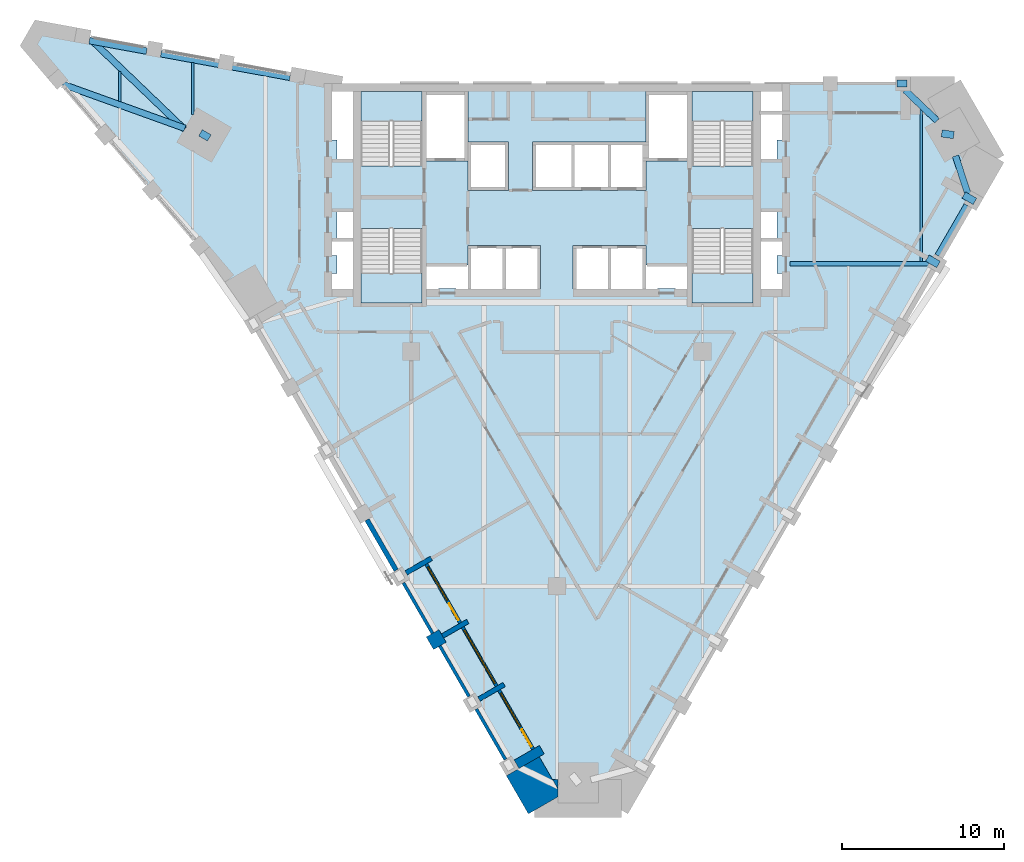
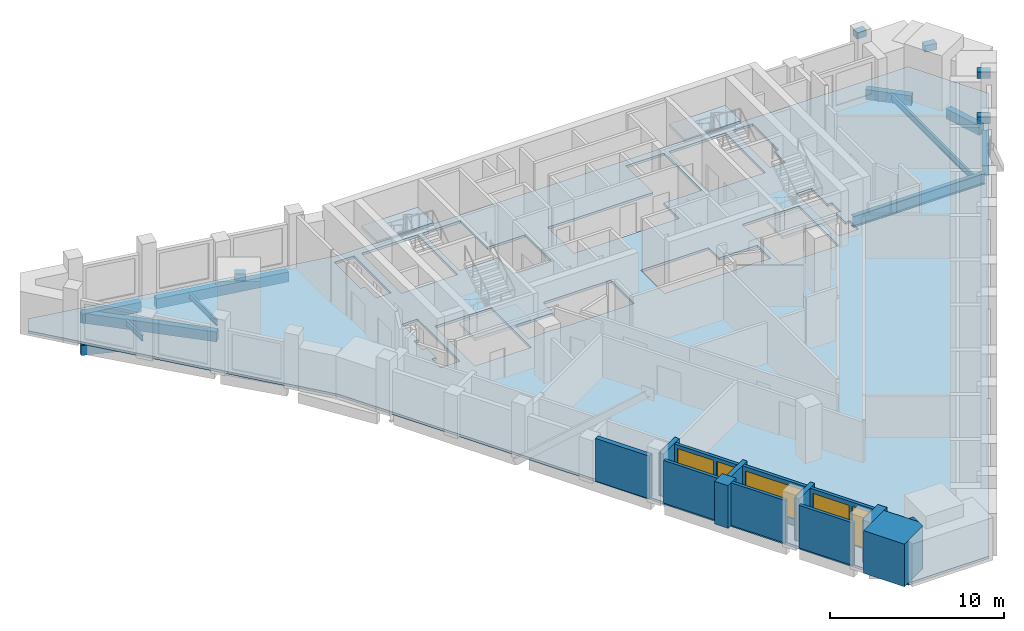
# One storey, part 2 of 9: 16 beams, 14 walls, 5 slabs, 3 windows, 2 doors, 5 openings, 4 elements without a shape of their own.
"""IFC4 building model written with IfcOpenShell, lengths in metres."""

from ifc_helpers import new_model, si_unit, direction, frame, frame_2d, origin, origin_2d, place, context, subcontext, project, spatial, polyline, rectangle, i_section, outline, extrude, material, layer, layer_set, material_profile, profile_set, type_object, element, fill, aggregate, save


model = new_model("IFC4")

# Units and contexts
model_context = context("Model", 3, precision=1e-05, world=origin(), true_north=direction((0.0, 1.0)))
body_context = subcontext(model_context, "Body", "Model", "MODEL_VIEW")
ifc_project = project(units=[si_unit("LENGTHUNIT", "METRE"), si_unit("AREAUNIT", "SQUARE_METRE"), si_unit("VOLUMEUNIT", "CUBIC_METRE"), si_unit("PLANEANGLEUNIT", "RADIAN"), si_unit("MASSUNIT", "GRAM", prefix="KILO")], contexts=[model_context])

# Site, building, storey
site_placement = place(None, origin())
site = spatial("IfcSite", under=ifc_project, at=site_placement, CompositionType="ELEMENT")
building_placement = place(site_placement, origin())
building = spatial("IfcBuilding", under=site, at=building_placement, Name="Calabash Gate Tower", CompositionType="ELEMENT")
storey_placement = place(building_placement, frame((0.0, 0.0, 204.199951171875)))
storey = spatial("IfcBuildingStorey", under=building, at=storey_placement, Name="L48", CompositionType="ELEMENT", Elevation=204.199951171875)

# Beams
ifc_material_1 = material(Name="Concrete C80/95", Category="concrete")
ifc_material_profile_1 = material_profile(ifc_material_1, rectangle(XDim=0.449951171875, YDim=0.449951171875, at=origin_2d()))
ifc_profile_set_1 = profile_set([ifc_material_profile_1], Name="Concrete C80/95")
beam_type_1 = type_object("IfcBeamType", Name="Column offset link RC 450x450 Concrete C80/95", PredefinedType="BEAM", material=ifc_profile_set_1)
beam_1_placement = place(storey_placement, frame((24.51611328125, 15.865966796875, 3.504150390625), z_axis=(-0.989884606771, 0.141874822567, 0.0), x_axis=(-0.141874822567, -0.989884606771, 0.0)))
element("IfcBeam", 1, at=beam_1_placement, inside=storey, type_object=beam_type_1, Name="Column offset link L48 NE", PredefinedType="BEAM", context=body_context, shape_type="SweptSolid", body=[
    extrude(rectangle(XDim=0.449951171875, YDim=0.449951171875, at=origin_2d()), origin(), (0.0, 0.0, 1.0), 0.753662109375),
])
beam_2_placement = place(storey_placement, frame((-21.47412109375, 15.694091796875, 3.504150390625), z_axis=(-0.866185586049, 0.49972245349, 0.0), x_axis=(-0.49972245349, -0.866185586049, 0.0)))
element("IfcBeam", 2, at=beam_2_placement, inside=storey, type_object=beam_type_1, Name="Column offset link L48 NW", PredefinedType="BEAM", context=body_context, shape_type="SweptSolid", body=[
    extrude(rectangle(XDim=0.449951171875, YDim=0.449951171875, at=origin_2d()), origin(), (0.0, 0.0, 1.0), 0.630126953125),
])
beam_3_placement = place(storey_placement, frame((23.572021484375, 7.873046875, 3.504150390625), z_axis=(-0.866072678707, 0.499918108492, 0.0), x_axis=(-0.499918108492, -0.866072678707, 0.0)))
element("IfcBeam", 3, at=beam_3_placement, inside=storey, type_object=beam_type_1, Name="Column offset link L48 P12", PredefinedType="BEAM", context=body_context, shape_type="SweptSolid", body=[
    extrude(rectangle(XDim=0.449951171875, YDim=0.449951171875, at=origin_2d()), origin(), (0.0, 0.0, 1.0), 0.792236328125),
])
beam_4_placement = place(storey_placement, frame((25.822021484375, 11.77001953125, 3.504150390625), z_axis=(-0.865538736039, 0.500841987473, 0.0), x_axis=(-0.500841987473, -0.865538736039, 0.0)))
element("IfcBeam", 4, at=beam_4_placement, inside=storey, type_object=beam_type_1, Name="Column offset link L48 P13", PredefinedType="BEAM", context=body_context, shape_type="SweptSolid", body=[
    extrude(rectangle(XDim=0.449951171875, YDim=0.449951171875, at=origin_2d()), origin(), (0.0, 0.0, 1.0), 0.792724609375),
])
beam_5_placement = place(storey_placement, frame((21.64111328125, 19.052978515625, 3.504150390625), z_axis=(-1.0, 0.0, 0.0), x_axis=(0.0, -1.0, 0.0)))
element("IfcBeam", 5, at=beam_5_placement, inside=storey, type_object=beam_type_1, Name="Column offset link L48 P24", PredefinedType="BEAM", context=body_context, shape_type="SweptSolid", body=[
    extrude(rectangle(XDim=0.449951171875, YDim=0.449951171875, at=origin_2d()), origin(), (0.0, 0.0, 1.0), 0.630126953125),
])
ifc_material_2 = material(Name="Concrete C50/60", Category="concrete")
ifc_material_profile_2 = material_profile(ifc_material_2, rectangle(XDim=0.39990234375, YDim=0.699951171875, at=origin_2d()))
ifc_profile_set_2 = profile_set([ifc_material_profile_2], Name="Concrete C50/60")
beam_type_2 = type_object("IfcBeamType", Name="Edge beam RC 400x700 Concrete C50/60", PredefinedType="BEAM", material=ifc_profile_set_2)
beam_6_placement = place(storey_placement, frame((23.5380859375, 8.4130859375, -0.52001953125), z_axis=(0.500049301049, 0.86599693794, 0.0), x_axis=(-0.86599693794, 0.500049301049, 0.0)))
element("IfcBeam", 6, at=beam_6_placement, inside=storey, type_object=beam_type_2, Name="Edge beam L48 10", PredefinedType="BEAM", context=body_context, shape_type="SweptSolid", body=[
    extrude(rectangle(XDim=0.39990234375, YDim=0.699951171875, at=origin_2d()), origin(), (0.0, 0.0, 1.0), 3.599365234375),
])
beam_7_placement = place(storey_placement, frame((25.419921875, 12.14111328125, -0.52001953125), z_axis=(-0.310682629093, 0.950513705309, 0.0), x_axis=(-0.950513705309, -0.310682629093, 0.0)))
element("IfcBeam", 7, at=beam_7_placement, inside=storey, type_object=beam_type_2, Name="Edge beam L48 11", PredefinedType="BEAM", context=body_context, shape_type="SweptSolid", body=[
    extrude(rectangle(XDim=0.39990234375, YDim=0.699951171875, at=origin_2d()), origin(), (0.0, 0.0, 1.0), 2.56494140625),
])
beam_8_placement = place(storey_placement, frame((23.488037109375, 16.75390625, -0.52001953125), z_axis=(-0.722273899938, 0.691607123639, 0.0), x_axis=(-0.691607123639, -0.722273899938, 0.0)))
element("IfcBeam", 8, at=beam_8_placement, inside=storey, type_object=beam_type_2, Name="Edge beam L48 12", PredefinedType="BEAM", context=body_context, shape_type="SweptSolid", body=[
    extrude(rectangle(XDim=0.39990234375, YDim=0.699951171875, at=origin_2d()), origin(), (0.0, 0.0, 1.0), 2.738525390625),
])
beam_9_placement = place(storey_placement, frame((-16.491943359375, 19.43701171875, -0.52001953125), z_axis=(-0.983710376503, 0.179760660767, 0.0), x_axis=(-0.179760660767, -0.983710376503, 0.0)))
element("IfcBeam", 9, at=beam_9_placement, inside=storey, type_object=beam_type_2, Name="Edge beam L48 13", PredefinedType="BEAM", context=body_context, shape_type="SweptSolid", body=[
    extrude(rectangle(XDim=0.39990234375, YDim=0.699951171875, at=origin_2d()), origin(), (0.0, 0.0, 1.0), 8.099853515625),
])
beam_10_placement = place(storey_placement, frame((-25.343017578125, 21.056884765625, -0.52001953125), z_axis=(-0.983780846892, 0.179374594879, 0.0), x_axis=(-0.179374594879, -0.983780846892, 0.0)))
element("IfcBeam", 10, at=beam_10_placement, inside=storey, type_object=beam_type_2, Name="Edge beam L48 14", PredefinedType="BEAM", context=body_context, shape_type="SweptSolid", body=[
    extrude(rectangle(XDim=0.39990234375, YDim=0.699951171875, at=origin_2d()), origin(), (0.0, 0.0, 1.0), 3.601318359375),
])
beam_11_placement = place(storey_placement, frame((-28.8701171875, 21.85009765625, -0.52001953125), z_axis=(0.721557989664, -0.692354004504, 0.0), x_axis=(0.692354004504, 0.721557989664, 0.0)))
element("IfcBeam", 11, at=beam_11_placement, inside=storey, type_object=beam_type_2, Name="Edge beam L48 15", PredefinedType="BEAM", context=body_context, shape_type="SweptSolid", body=[
    extrude(rectangle(XDim=0.39990234375, YDim=0.699951171875, at=origin_2d()), origin(), (0.0, 0.0, 1.0), 8.117431640625),
])
beam_12_placement = place(storey_placement, frame((-22.98193359375, 16.287109375, -0.52001953125), z_axis=(-0.940926223846, 0.338611637837, 0.0), x_axis=(-0.338611637837, -0.940926223846, 0.0)))
element("IfcBeam", 12, at=beam_12_placement, inside=storey, type_object=beam_type_2, Name="Edge beam L48 16", PredefinedType="BEAM", context=body_context, shape_type="SweptSolid", body=[
    extrude(rectangle(XDim=0.39990234375, YDim=0.699951171875, at=origin_2d()), origin(), (0.0, 0.0, 1.0), 8.017578125),
])
ifc_material_3 = material(Name="Steel ASTM A992 Gr50", Category="steel")
ifc_material_profile_3 = material_profile(ifc_material_3, i_section(OverallWidth=0.1396484375, OverallDepth=0.398681640625, WebThickness=0.00634765625, FlangeThickness=0.0087890625, FilletRadius=0.01025390625, at=origin_2d()))
ifc_profile_set_3 = profile_set([ifc_material_profile_3], Name="Steel ASTM A992 Gr50")
beam_type_3 = type_object("IfcBeamType", Name="Floor beam W16x26 ASTM A992 Gr50", PredefinedType="BEAM", material=ifc_profile_set_3)
beam_13_placement = place(storey_placement, frame((-27.0, 17.93310546875, -0.368896484375), z_axis=(0.0, 1.0, 0.0), x_axis=(-1.0, 0.0, 0.0)))
element("IfcBeam", 13, at=beam_13_placement, inside=storey, type_object=beam_type_3, Name="Floor beam L48 2", PredefinedType="BEAM", context=body_context, shape_type="SweptSolid", body=[
    extrude(i_section(OverallWidth=0.1396484375, OverallDepth=0.398681640625, WebThickness=0.00634765625, FlangeThickness=0.0087890625, FilletRadius=0.01025390625, at=origin_2d()), origin(), (0.0, 0.0, 1.0), 1.866943359375),
])
beam_14_placement = place(storey_placement, frame((-22.5, 17.132080078125, -0.368896484375), z_axis=(0.0, 1.0, 0.0), x_axis=(-1.0, 0.0, 0.0)))
element("IfcBeam", 14, at=beam_14_placement, inside=storey, type_object=beam_type_3, Name="Floor beam L48 4", PredefinedType="BEAM", context=body_context, shape_type="SweptSolid", body=[
    extrude(i_section(OverallWidth=0.1396484375, OverallDepth=0.398681640625, WebThickness=0.00634765625, FlangeThickness=0.0087890625, FilletRadius=0.01025390625, at=origin_2d()), origin(), (0.0, 0.0, 1.0), 3.23095703125),
])
ifc_material_4 = material(Name="Steel ASTM A992 Gr50", Category="steel")
ifc_material_profile_4 = material_profile(ifc_material_4, i_section(OverallWidth=0.15234375, OverallDepth=0.44970703125, WebThickness=0.007568359375, FlangeThickness=0.0107421875, FilletRadius=0.01025390625, at=origin_2d()))
ifc_profile_set_4 = profile_set([ifc_material_profile_4], Name="Steel ASTM A992 Gr50")
beam_type_4 = type_object("IfcBeamType", Name="Floor beam W18x35 ASTM A992 Gr50", PredefinedType="BEAM", material=ifc_profile_set_4)
beam_15_placement = place(storey_placement, frame((22.5, 8.055908203125, -0.39306640625), z_axis=(0.0, 1.0, 0.0), x_axis=(-1.0, 0.0, 0.0)))
element("IfcBeam", 15, at=beam_15_placement, inside=storey, type_object=beam_type_4, Name="Floor beam L48 20", PredefinedType="BEAM", context=body_context, shape_type="SweptSolid", body=[
    extrude(i_section(OverallWidth=0.15234375, OverallDepth=0.44970703125, WebThickness=0.007568359375, FlangeThickness=0.0107421875, FilletRadius=0.01025390625, at=origin_2d()), origin(), (0.0, 0.0, 1.0), 9.385986328125),
])
ifc_material_5 = material(Name="Steel ASTM A992 Gr50", Category="steel")
ifc_material_profile_5 = material_profile(ifc_material_5, i_section(OverallWidth=0.2666015625, OverallDepth=0.77978515625, WebThickness=0.0166015625, FlangeThickness=0.030029296875, FilletRadius=0.0166015625, at=origin_2d()))
ifc_profile_set_5 = profile_set([ifc_material_profile_5], Name="Steel ASTM A992 Gr50")
beam_type_5 = type_object("IfcBeamType", Name="Girder W30x148 ASTM A992 Gr50", PredefinedType="BEAM", material=ifc_profile_set_5)
beam_16_placement = place(storey_placement, frame((23.16796875, 7.923095703125, -0.56005859375), z_axis=(-1.0, 0.0, 0.0), x_axis=(0.0, -1.0, 0.0)))
element("IfcBeam", 16, at=beam_16_placement, inside=storey, type_object=beam_type_5, Name="Girder L48 3", PredefinedType="BEAM", context=body_context, shape_type="SweptSolid", body=[
    extrude(i_section(OverallWidth=0.2666015625, OverallDepth=0.77978515625, WebThickness=0.0166015625, FlangeThickness=0.030029296875, FilletRadius=0.0166015625, at=origin_2d()), origin(), (0.0, 0.0, 1.0), 8.76806640625),
])

# Slab
ifc_material_6 = material(Name="Concrete C40/50", Category="concrete")
ifc_layer_1 = layer(ifc_material_6, 0.169921875)
ifc_layer_set_1 = layer_set([ifc_layer_1], Name="Composite floor slab 170 Concrete C40/50")
slab_type_1 = type_object("IfcSlabType", Name="Composite floor slab 170 Concrete C40/50", PredefinedType="FLOOR", material=ifc_layer_set_1)
slab_1_placement = place(storey_placement, frame((0.0, 0.0, -0.169921875)))
element("IfcSlab", 17, at=slab_1_placement, inside=storey, type_object=slab_type_1, Name="Floor slab L48", PredefinedType="FLOOR", context=body_context, shape_type="SweptSolid", body=[
    extrude(outline(polyline([(3.99267578125, -25.83984375), (-1.372314453125, -25.83984375), (-20.291015625, 6.92822265625), (-32.620361328125, 21.43115234375), (-32.015625, 22.478515625), (-13.291015625, 19.052490234375), (24.54638671875, 19.052490234375), (27.22900390625, 14.40625), (3.99267578125, -25.83984375)]), holes=[polyline([(-7.324951171875, 6.3525390625), (-7.324951171875, 6.402587890625), (-6.22509765625, 6.402587890625), (-6.22509765625, 6.3525390625), (-5.5, 6.3525390625), (-3.25, 6.3525390625), (-1.0, 6.3525390625), (-1.0, 9.052490234375), (-3.25, 9.052490234375), (-5.5, 9.052490234375), (-5.5, 7.8525390625), (-8.050048828125, 7.8525390625), (-8.050048828125, 6.3525390625), (-7.324951171875, 6.3525390625)]), polyline([(8.050048828125, 6.3525390625), (8.050048828125, 7.8525390625), (5.5, 7.8525390625), (5.5, 9.052490234375), (3.25, 9.052490234375), (1.0, 9.052490234375), (1.0, 6.3525390625), (3.25, 6.3525390625), (5.5, 6.3525390625), (6.22509765625, 6.3525390625), (6.22509765625, 6.402587890625), (7.324951171875, 6.402587890625), (7.324951171875, 6.3525390625), (8.050048828125, 6.3525390625)]), polyline([(-8.050048828125, 18.552490234375), (-8.050048828125, 14.252685546875), (-5.5, 14.252685546875), (-5.5, 12.45263671875), (-3.0, 12.45263671875), (-3.0, 15.45263671875), (-5.5, 15.45263671875), (-5.5, 18.552490234375), (-8.050048828125, 18.552490234375)]), polyline([(5.5, 14.252685546875), (8.050048828125, 14.252685546875), (8.050048828125, 18.552490234375), (5.5, 18.552490234375), (5.5, 15.45263671875), (3.25, 15.45263671875), (1.0, 15.45263671875), (-1.5, 15.45263671875), (-1.5, 12.45263671875), (1.0, 12.45263671875), (3.25, 12.45263671875), (5.5, 12.45263671875), (5.5, 14.252685546875)]), polyline([(-12.10009765625, 13.95263671875), (-8.35009765625, 13.95263671875), (-8.35009765625, 18.552490234375), (-12.10009765625, 18.552490234375), (-12.10009765625, 13.95263671875)]), polyline([(-8.35009765625, 5.502685546875), (-8.35009765625, 10.1025390625), (-12.10009765625, 10.1025390625), (-12.10009765625, 5.502685546875), (-8.35009765625, 5.502685546875)]), polyline([(12.10009765625, 18.552490234375), (8.35009765625, 18.552490234375), (8.35009765625, 13.95263671875), (12.10009765625, 13.95263671875), (12.10009765625, 18.552490234375)]), polyline([(8.35009765625, 10.1025390625), (8.35009765625, 5.502685546875), (12.10009765625, 5.502685546875), (12.10009765625, 10.1025390625), (8.35009765625, 10.1025390625)]), polyline([(-13.89990234375, 6.3525390625), (-12.60009765625, 6.3525390625), (-12.60009765625, 9.402587890625), (-12.60009765625, 11.232666015625), (-13.60009765625, 11.232666015625), (-13.60009765625, 9.402587890625), (-13.89990234375, 9.402587890625), (-13.89990234375, 8.427490234375), (-13.60009765625, 8.427490234375), (-13.60009765625, 7.32763671875), (-13.89990234375, 7.32763671875), (-13.89990234375, 6.3525390625)]), polyline([(-13.60009765625, 14.28271484375), (-12.60009765625, 14.28271484375), (-12.60009765625, 18.552490234375), (-13.89990234375, 18.552490234375), (-13.89990234375, 15.550048828125), (-13.60009765625, 15.550048828125), (-13.60009765625, 14.28271484375)]), polyline([(13.60009765625, 7.32763671875), (13.60009765625, 8.427490234375), (13.89990234375, 8.427490234375), (13.89990234375, 9.402587890625), (13.60009765625, 9.402587890625), (13.60009765625, 11.232666015625), (12.60009765625, 11.232666015625), (12.60009765625, 9.402587890625), (12.60009765625, 6.3525390625), (13.89990234375, 6.3525390625), (13.89990234375, 7.32763671875), (13.60009765625, 7.32763671875)]), polyline([(12.60009765625, 14.28271484375), (13.60009765625, 14.28271484375), (13.60009765625, 15.550048828125), (13.89990234375, 15.550048828125), (13.89990234375, 18.552490234375), (12.60009765625, 18.552490234375), (12.60009765625, 14.28271484375)])]), origin(), (0.0, 0.0, 1.0), 0.169921875),
])

# Stair, slab
ifc_material_7 = material(Name="Concrete C40/50", Category="concrete")
stair_type = type_object("IfcStairType", Name="Exit stair 22 risers of 177.3 mm", PredefinedType="HALF_TURN_STAIR", material=ifc_material_7)
stair_1_placement = place(storey_placement, origin())
stair_1 = element("IfcStair", 18, at=stair_1_placement, inside=storey, type_object=stair_type, Name="L48 Exit stair ST1", PredefinedType="HALF_TURN_STAIR")
ifc_material_8 = material(Name="Concrete C40/50", Category="concrete")
ifc_layer_2 = layer(ifc_material_8, 0.199951171875)
ifc_layer_set_2 = layer_set([ifc_layer_2], Name="Stair landing SL200")
slab_type_2 = type_object("IfcSlabType", Name="Stair landing SL200", PredefinedType="LANDING", material=ifc_layer_set_2)
slab_2_placement = place(storey_placement, frame((0.0, 0.0, 1.75)))
slab_2 = element("IfcSlab", 19, at=slab_2_placement, type_object=slab_type_2, Name="ST1 landing 1", PredefinedType="LANDING", context=body_context, shape_type="SweptSolid", body=[
    extrude(outline(polyline([(-8.35009765625, 16.74267578125), (-8.35009765625, 18.552490234375), (-12.10009765625, 18.552490234375), (-12.10009765625, 16.74267578125), (-8.35009765625, 16.74267578125)])), origin(), (0.0, 0.0, 1.0), 0.199951171875),
])
aggregate(stair_1, [slab_2])

stair_2_placement = place(storey_placement, origin())
stair_2 = element("IfcStair", 20, at=stair_2_placement, inside=storey, type_object=stair_type, Name="L48 Exit stair ST2", PredefinedType="HALF_TURN_STAIR")
slab_3_placement = place(storey_placement, frame((0.0, 0.0, 1.75)))
slab_3 = element("IfcSlab", 21, at=slab_3_placement, type_object=slab_type_2, Name="ST2 landing 1", PredefinedType="LANDING", context=body_context, shape_type="SweptSolid", body=[
    extrude(outline(polyline([(-12.10009765625, 7.3125), (-12.10009765625, 5.502685546875), (-8.35009765625, 5.502685546875), (-8.35009765625, 7.3125), (-12.10009765625, 7.3125)])), origin(), (0.0, 0.0, 1.0), 0.199951171875),
])
aggregate(stair_2, [slab_3])

stair_3_placement = place(storey_placement, origin())
stair_3 = element("IfcStair", 22, at=stair_3_placement, inside=storey, type_object=stair_type, Name="L48 Exit stair ST3", PredefinedType="HALF_TURN_STAIR")
slab_4_placement = place(storey_placement, frame((0.0, 0.0, 1.75)))
slab_4 = element("IfcSlab", 23, at=slab_4_placement, type_object=slab_type_2, Name="ST3 landing 1", PredefinedType="LANDING", context=body_context, shape_type="SweptSolid", body=[
    extrude(outline(polyline([(12.10009765625, 16.74267578125), (12.10009765625, 18.552490234375), (8.35009765625, 18.552490234375), (8.35009765625, 16.74267578125), (12.10009765625, 16.74267578125)])), origin(), (0.0, 0.0, 1.0), 0.199951171875),
])
aggregate(stair_3, [slab_4])

stair_4_placement = place(storey_placement, origin())
stair_4 = element("IfcStair", 24, at=stair_4_placement, inside=storey, type_object=stair_type, Name="L48 Exit stair ST4", PredefinedType="HALF_TURN_STAIR")
slab_5_placement = place(storey_placement, frame((0.0, 0.0, 1.75)))
slab_5 = element("IfcSlab", 25, at=slab_5_placement, type_object=slab_type_2, Name="ST4 landing 1", PredefinedType="LANDING", context=body_context, shape_type="SweptSolid", body=[
    extrude(outline(polyline([(8.35009765625, 7.3125), (8.35009765625, 5.502685546875), (12.10009765625, 5.502685546875), (12.10009765625, 7.3125), (8.35009765625, 7.3125)])), origin(), (0.0, 0.0, 1.0), 0.199951171875),
])
aggregate(stair_4, [slab_5])

# Walls
ifc_material_9 = material(Name="Terracotta brick masonry, exposed face", Category="masonry")
ifc_layer_3 = layer(ifc_material_9, 2.35009765625)
ifc_layer_set_3 = layer_set([ifc_layer_3], Name="Brick corner mass wall 2350")
wall_type_1 = type_object("IfcWallType", Name="Brick corner mass wall 2350", PredefinedType="SOLIDWALL", material=ifc_layer_set_3)
wall_1_placement = place(storey_placement, origin())
element("IfcWall", 26, at=wall_1_placement, inside=storey, type_object=wall_type_1, Name="Brick corner pier S13 2a", PredefinedType="SOLIDWALL", context=body_context, shape_type="SweptSolid", body=[
    extrude(outline(polyline([(0.06005859375, -24.520751953125), (-1.086181640625, -22.535400390625), (-3.121337890625, -23.71044921875), (-1.761962890625, -26.06494140625), (0.06005859375, -25.012939453125), (0.06005859375, -24.520751953125)])), origin(), (0.0, 0.0, 1.0), 3.0),
])
wall_2_placement = place(storey_placement, origin())
element("IfcWall", 27, at=wall_2_placement, inside=storey, type_object=wall_type_1, Name="Brick corner pier S13 2bb", PredefinedType="SOLIDWALL", context=body_context, shape_type="SweptSolid", body=[
    extrude(outline(polyline([(-0.275390625, -23.93994140625), (0.06005859375, -24.520751953125), (0.06005859375, -23.93994140625), (-0.275390625, -23.93994140625)])), origin(), (0.0, 0.0, 1.0), 3.0),
])
ifc_material_10 = material(Name="Terracotta brick masonry, exposed face", Category="masonry")
ifc_layer_4 = layer(ifc_material_10, 0.89990234375)
ifc_layer_set_4 = layer_set([ifc_layer_4], Name="Brick end wall 900")
wall_type_2 = type_object("IfcWallType", Name="Brick end wall 900", PredefinedType="SOLIDWALL", material=ifc_layer_set_4)
wall_3_placement = place(storey_placement, frame((-7.06689453125, -15.07666015625, 0.0), z_axis=(0.0, 0.0, 1.0), x_axis=(-0.866013897511, -0.50001992892, 0.0)))
element("IfcWall", 28, at=wall_3_placement, inside=storey, type_object=wall_type_2, Name="Brick pier S13 SW0.5", PredefinedType="SOLIDWALL", context=body_context, shape_type="SweptSolid", body=[
    extrude(rectangle(XDim=0.89990234375, YDim=0.89990234375, at=frame_2d((0.449951171875, 0.0))), origin(), (0.0, 0.0, 1.0), 3.0),
])
ifc_material_11 = material(Name="Terracotta brick masonry, exposed face", Category="masonry")
ifc_layer_5 = layer(ifc_material_11, 0.300048828125)
ifc_layer_set_5 = layer_set([ifc_layer_5], Name="Brick infill panel wall 300")
wall_type_3 = type_object("IfcWallType", Name="Brick infill panel wall 300", PredefinedType="SOLIDWALL", material=ifc_layer_set_5)
wall_4_placement = place(storey_placement, frame((-9.931884765625, -11.01416015625, 0.0), z_axis=(0.0, 0.0, 1.0), x_axis=(-0.50001992892, 0.866013897511, 0.0)))
element("IfcWall", 29, at=wall_4_placement, inside=storey, type_object=wall_type_3, Name="Brick panel S13 SW0.4", PredefinedType="SOLIDWALL", context=body_context, shape_type="SweptSolid", body=[
    extrude(rectangle(XDim=3.599365234375, YDim=0.300048828125, at=frame_2d((1.7998046875, 0.0))), origin(), (0.0, 0.0, 1.0), 3.0),
])
ifc_material_12 = material(Name="Terracotta brick masonry, exposed face", Category="masonry")
ifc_layer_6 = layer(ifc_material_12, 0.300048828125)
ifc_layer_set_6 = layer_set([ifc_layer_6], Name="Brick loggia cheek wall 300")
wall_type_4 = type_object("IfcWallType", Name="Brick loggia cheek wall 300", PredefinedType="SOLIDWALL", material=ifc_layer_set_6)
for number, where, z_axis, x_axis, name in (
    (30, (-9.31689453125, -11.179443359375, 0.0), (0.0, 0.0, 1.0), (0.866047807691, 0.499961193289, 0.0), "Loggia cheek S13 SW0.4"),
    (31, (-7.06689453125, -15.07666015625, 0.0), (0.0, 0.0, 1.0), (0.865989075817, 0.500062916607, 0.0), "Loggia cheek S13 SW0.5"),
    (32, (-4.81689453125, -18.9736328125, 0.0), (0.0, 0.0, 1.0), (0.866047807691, 0.499961193289, 0.0), "Loggia cheek S13 SW0.6"),
):
    element("IfcWall", number, at=place(storey_placement, frame(where, z_axis=z_axis, x_axis=x_axis)), inside=storey, type_object=wall_type_4, Name=name, PredefinedType="SOLIDWALL", context=body_context, shape_type="SweptSolid", body=[
        extrude(rectangle(XDim=1.800048828125, YDim=0.300048828125, at=frame_2d((0.89990234375, 0.0))), origin(), (0.0, 0.0, 1.0), 3.0),
    ])
wall_5_placement = place(storey_placement, frame((-2.491943359375, -23.000732421875, 0.0), z_axis=(0.0, 0.0, 1.0), x_axis=(0.865989075817, 0.500062916607, 0.0)))
element("IfcWall", 33, at=wall_5_placement, inside=storey, type_object=wall_type_4, Name="Loggia cheek S13 SW0.7", PredefinedType="SOLIDWALL", context=body_context, shape_type="SweptSolid", body=[
    extrude(rectangle(XDim=1.800048828125, YDim=0.60009765625, at=frame_2d((0.89990234375, 0.0))), origin(), (0.0, 0.0, 1.0), 3.0),
])
ifc_material_13 = material(Name="Terracotta brick masonry, perforated", Category="masonry")
ifc_layer_7 = layer(ifc_material_13, 0.199951171875)
ifc_layer_set_7 = layer_set([ifc_layer_7], Name="Terracotta jaali screen A")
wall_type_5 = type_object("IfcWallType", Name="Terracotta jaali screen A", PredefinedType="SOLIDWALL", material=ifc_layer_set_7)
for number, where, z_axis, x_axis, name in (
    (34, (-9.481689453125, -11.794189453125, 0.0), (0.0, 0.0, 1.0), (0.500012057535, -0.866018442252, 0.0), "SCREEN A S13 SW0.5"),
    (35, (-7.231689453125, -15.691162109375, 0.0), (0.0, 0.0, 1.0), (0.500012057535, -0.866018442252, 0.0), "SCREEN A S13 SW0.6"),
    (36, (-4.981689453125, -19.58837890625, 0.0), (0.0, 0.0, 1.0), (0.500012057535, -0.866018442252, 0.0), "SCREEN A S13 SW0.7"),
):
    element("IfcWall", number, at=place(storey_placement, frame(where, z_axis=z_axis, x_axis=x_axis)), inside=storey, type_object=wall_type_5, Name=name, PredefinedType="SOLIDWALL", context=body_context, shape_type="SweptSolid", body=[
        extrude(rectangle(XDim=3.60009765625, YDim=0.199951171875, at=frame_2d((1.800048828125, 0.0))), origin(), (0.0, 0.0, 1.0), 3.0),
    ])

# Wall, openings, door, window
ifc_material_14 = material(Name="Aluminium framed window wall with insulated spandrel", Category="aluminium")
ifc_layer_8 = layer(ifc_material_14, 0.199951171875)
ifc_layer_set_8 = layer_set([ifc_layer_8], Name="Window wall 200")
wall_type_6 = type_object("IfcWallType", Name="Window wall 200", PredefinedType="ELEMENTEDWALL", material=ifc_layer_set_8)
wall_6_placement = place(storey_placement, frame((-8.07275390625, -10.63427734375, 0.0), z_axis=(0.0, 0.0, 1.0), x_axis=(0.500002543286, -0.866023935413, 0.0)))
wall_6 = element("IfcWall", 37, at=wall_6_placement, inside=storey, type_object=wall_type_6, Name="Window wall S13 SW0.5", PredefinedType="ELEMENTEDWALL", context=body_context, shape_type="SweptSolid", body=[
    extrude(rectangle(XDim=4.2001953125, YDim=0.199951171875, at=frame_2d((2.10009765625, 0.0))), origin(), (0.0, 0.0, 1.0), 2.9501953125),
])
opening_1_placement = place(wall_6_placement, frame((0.199951171875, 0.0, 0.449951171875)))
opening_1 = element("IfcOpeningElement", 38, at=opening_1_placement, cuts=wall_6, Name="Opening OW1", PredefinedType="OPENING", context=body_context, shape_type="SweptSolid", body=[
    extrude(rectangle(XDim=2.39990234375, YDim=2.25, at=frame_2d((1.199951171875, 1.125))), frame((0.0, 0.10986328125, 0.0), z_axis=(0.0, -1.0, 0.0), x_axis=(1.0, 0.0, 0.0)), (0.0, 0.0, 1.0), 0.219970703125),
])
opening_2_placement = place(wall_6_placement, frame((2.800048828125, 0.0, 0.0)))
opening_2 = element("IfcOpeningElement", 39, at=opening_2_placement, cuts=wall_6, Name="Opening O5-026", PredefinedType="OPENING", context=body_context, shape_type="SweptSolid", body=[
    extrude(rectangle(XDim=1.199951171875, YDim=2.699951171875, at=frame_2d((0.60009765625, 1.35009765625))), frame((0.0, 0.10986328125, 0.0), z_axis=(0.0, -1.0, 0.0), x_axis=(1.0, 0.0, 0.0)), (0.0, 0.0, 1.0), 0.219970703125),
])
ifc_material_15 = material(Name="Anodised aluminium frame, bronze finish, impact-rated laminated clear glazing", Category="aluminium")
door_type = type_object("IfcDoorType", Name="Loggia door DO1 1200x2700", OperationType="SLIDING_TO_LEFT", PredefinedType="DOOR", material=ifc_material_15)
door_1_placement = place(opening_2_placement, origin())
door_1 = element("IfcDoor", 40, at=door_1_placement, inside=storey, type_object=door_type, Name="Loggia door S13 SW0.5", OperationType="SINGLE_SWING_LEFT", OverallHeight=2.699951171875, OverallWidth=1.199951171875, PredefinedType="DOOR", context=body_context, shape_type="SweptSolid", body=[
    extrude(rectangle(XDim=1.199951171875, YDim=2.699951171875, at=frame_2d((0.60009765625, 1.35009765625))), frame((0.0, 0.02490234375, 0.0), z_axis=(0.0, -1.0, 0.0), x_axis=(1.0, 0.0, 0.0)), (0.0, 0.0, 1.0), 0.050048828125),
])
fill(opening_2, door_1)
ifc_material_16 = material(Name="Anodised aluminium frame, bronze finish, impact-rated laminated clear glazing", Category="aluminium")
window_type_1 = type_object("IfcWindowType", Name="Window OW1 2400x2250", PartitioningType="DOUBLE_PANEL_VERTICAL", PredefinedType="WINDOW", material=ifc_material_16)
window_1_placement = place(opening_1_placement, origin())
window_1 = element("IfcWindow", 41, at=window_1_placement, inside=storey, type_object=window_type_1, Name="Window OW1 S13 SW0.5", OverallHeight=2.25, OverallWidth=2.39990234375, PartitioningType="SINGLE_PANEL", PredefinedType="WINDOW", context=body_context, shape_type="SweptSolid", body=[
    extrude(rectangle(XDim=2.39990234375, YDim=2.25, at=frame_2d((1.199951171875, 1.125))), frame((0.0, 0.030029296875, 0.0), z_axis=(0.0, -1.0, 0.0), x_axis=(1.0, 0.0, 0.0)), (0.0, 0.0, 1.0), 0.06005859375),
])
fill(opening_1, window_1)

# Wall, opening, window
wall_7_placement = place(storey_placement, frame((-5.82275390625, -14.531494140625, 0.0), z_axis=(0.0, 0.0, 1.0), x_axis=(0.500027713859, -0.866009402589, 0.0)))
wall_7 = element("IfcWall", 42, at=wall_7_placement, inside=storey, type_object=wall_type_6, Name="Window wall S13 SW0.6", PredefinedType="ELEMENTEDWALL", context=body_context, shape_type="SweptSolid", body=[
    extrude(rectangle(XDim=4.199951171875, YDim=0.199951171875, at=frame_2d((2.10009765625, 0.0))), origin(), (0.0, 0.0, 1.0), 3.0),
])
opening_3_placement = place(wall_7_placement, frame((0.199951171875, 0.0, 0.449951171875)))
opening_3 = element("IfcOpeningElement", 43, at=opening_3_placement, cuts=wall_7, Name="Opening OW2", PredefinedType="OPENING", context=body_context, shape_type="SweptSolid", body=[
    extrude(rectangle(XDim=3.800048828125, YDim=2.25, at=frame_2d((1.89990234375, 1.125))), frame((0.0, 0.10986328125, 0.0), z_axis=(0.0, -1.0, 0.0), x_axis=(1.0, 0.0, 0.0)), (0.0, 0.0, 1.0), 0.219970703125),
])
ifc_material_17 = material(Name="Anodised aluminium frame, bronze finish, impact-rated laminated clear glazing", Category="aluminium")
window_type_2 = type_object("IfcWindowType", Name="Window OW2 3800x2250", PartitioningType="TRIPLE_PANEL_VERTICAL", PredefinedType="WINDOW", material=ifc_material_17)
window_2_placement = place(opening_3_placement, origin())
window_2 = element("IfcWindow", 44, at=window_2_placement, inside=storey, type_object=window_type_2, Name="Window OW2 S13 SW0.6", OverallHeight=2.25, OverallWidth=3.800048828125, PartitioningType="SINGLE_PANEL", PredefinedType="WINDOW", context=body_context, shape_type="SweptSolid", body=[
    extrude(rectangle(XDim=3.800048828125, YDim=2.25, at=frame_2d((1.89990234375, 1.125))), frame((0.0, 0.030029296875, 0.0), z_axis=(0.0, -1.0, 0.0), x_axis=(1.0, 0.0, 0.0)), (0.0, 0.0, 1.0), 0.06005859375),
])
fill(opening_3, window_2)

# Wall, openings, door, window
wall_8_placement = place(storey_placement, frame((-3.57275390625, -18.428466796875, 0.0), z_axis=(0.0, 0.0, 1.0), x_axis=(0.500002543286, -0.866023935413, 0.0)))
wall_8 = element("IfcWall", 45, at=wall_8_placement, inside=storey, type_object=wall_type_6, Name="Window wall S13 SW0.7", PredefinedType="ELEMENTEDWALL", context=body_context, shape_type="SweptSolid", body=[
    extrude(rectangle(XDim=4.2001953125, YDim=0.199951171875, at=frame_2d((2.10009765625, 0.0))), origin(), (0.0, 0.0, 1.0), 3.0),
])
opening_4_placement = place(wall_8_placement, frame((0.199951171875, 0.0, 0.449951171875)))
opening_4 = element("IfcOpeningElement", 46, at=opening_4_placement, cuts=wall_8, Name="Opening OW1", PredefinedType="OPENING", context=body_context, shape_type="SweptSolid", body=[
    extrude(rectangle(XDim=2.39990234375, YDim=2.25, at=frame_2d((1.199951171875, 1.125))), frame((0.0, 0.10986328125, 0.0), z_axis=(0.0, -1.0, 0.0), x_axis=(1.0, 0.0, 0.0)), (0.0, 0.0, 1.0), 0.219970703125),
])
opening_5_placement = place(wall_8_placement, frame((2.800048828125, 0.0, 0.0)))
opening_5 = element("IfcOpeningElement", 47, at=opening_5_placement, cuts=wall_8, Name="Opening O5-027", PredefinedType="OPENING", context=body_context, shape_type="SweptSolid", body=[
    extrude(rectangle(XDim=1.199951171875, YDim=2.699951171875, at=frame_2d((0.60009765625, 1.35009765625))), frame((0.0, 0.10986328125, 0.0), z_axis=(0.0, -1.0, 0.0), x_axis=(1.0, 0.0, 0.0)), (0.0, 0.0, 1.0), 0.219970703125),
])
door_2_placement = place(opening_5_placement, origin())
door_2 = element("IfcDoor", 48, at=door_2_placement, inside=storey, type_object=door_type, Name="Loggia door S13 SW0.7", OperationType="SINGLE_SWING_LEFT", OverallHeight=2.699951171875, OverallWidth=1.199951171875, PredefinedType="DOOR", context=body_context, shape_type="SweptSolid", body=[
    extrude(rectangle(XDim=1.199951171875, YDim=2.699951171875, at=frame_2d((0.60009765625, 1.35009765625))), frame((0.0, 0.02490234375, 0.0), z_axis=(0.0, -1.0, 0.0), x_axis=(1.0, 0.0, 0.0)), (0.0, 0.0, 1.0), 0.050048828125),
])
fill(opening_5, door_2)
window_3_placement = place(opening_4_placement, origin())
window_3 = element("IfcWindow", 49, at=window_3_placement, inside=storey, type_object=window_type_1, Name="Window OW1 S13 SW0.7", OverallHeight=2.25, OverallWidth=2.39990234375, PartitioningType="SINGLE_PANEL", PredefinedType="WINDOW", context=body_context, shape_type="SweptSolid", body=[
    extrude(rectangle(XDim=2.39990234375, YDim=2.25, at=frame_2d((1.199951171875, 1.125))), frame((0.0, 0.030029296875, 0.0), z_axis=(0.0, -1.0, 0.0), x_axis=(1.0, 0.0, 0.0)), (0.0, 0.0, 1.0), 0.06005859375),
])
fill(opening_4, window_3)

save(model, "model.ifc")
